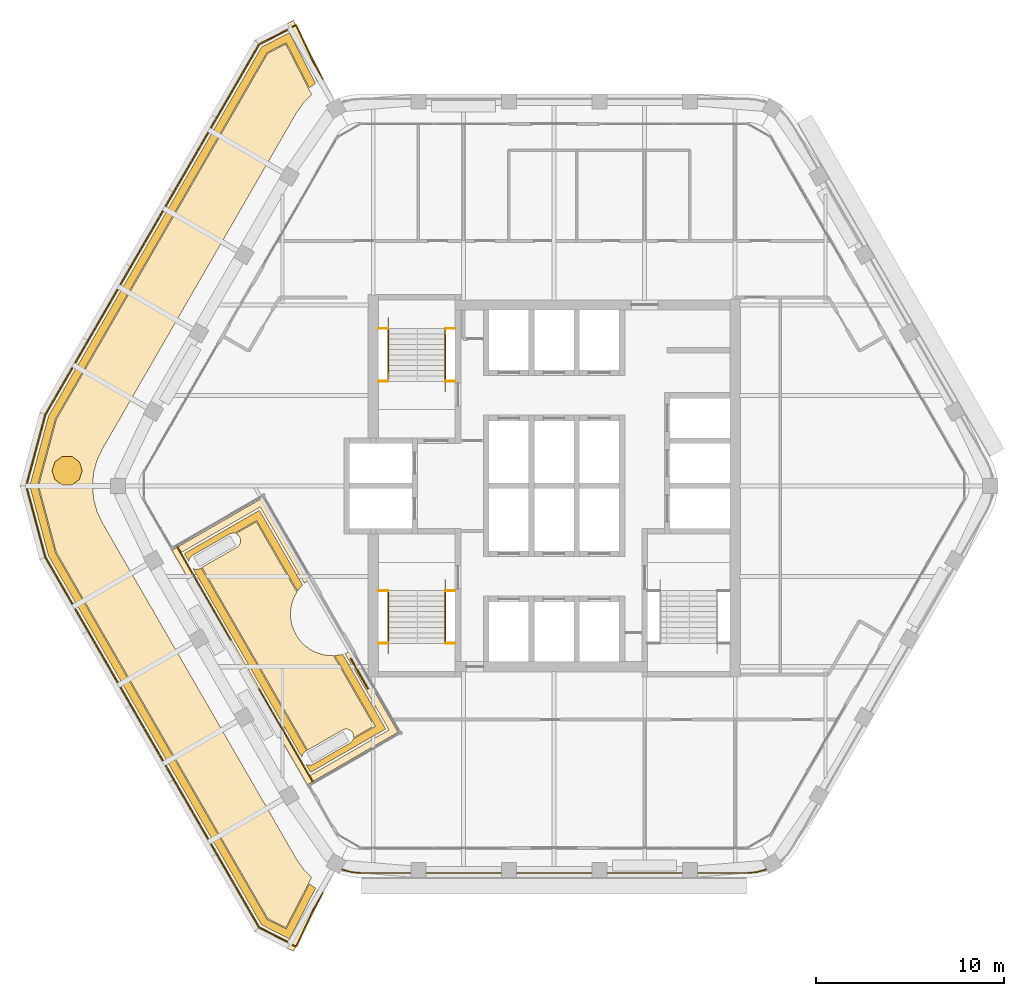
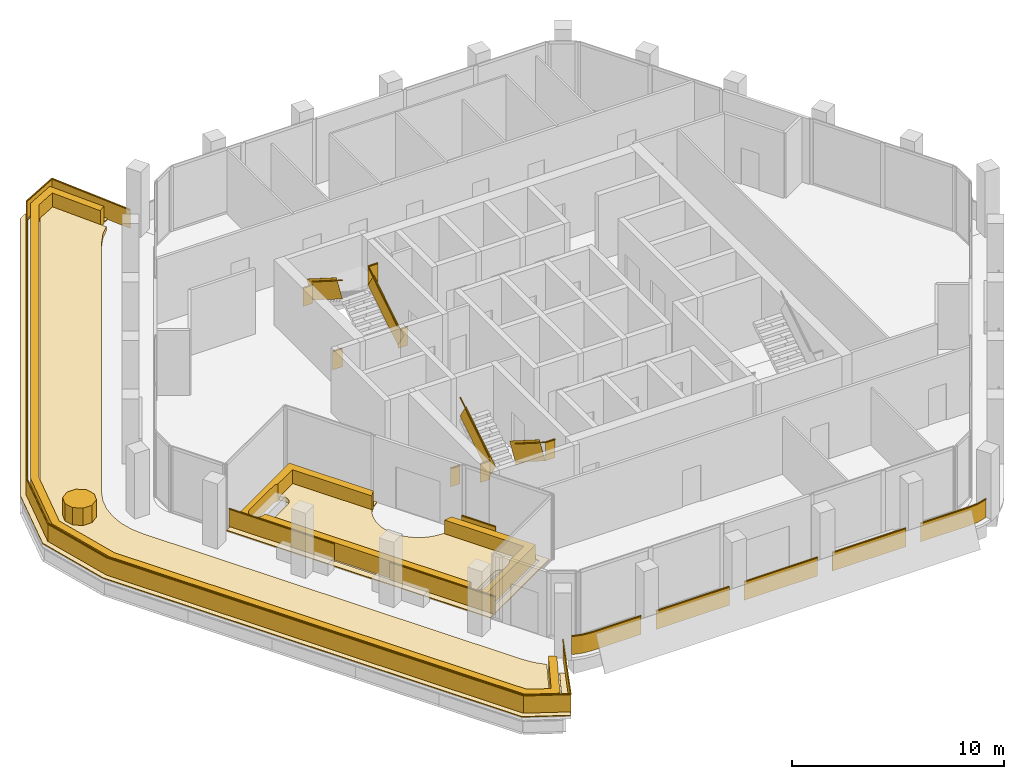
# One storey, part 14 of 15: 9 coverings, 8 railings.
"""IFC4 building model written with IfcOpenShell, lengths in metres."""

from ifc_helpers import new_model, si_unit, direction, frame, frame_2d, origin, origin_2d, place, context, subcontext, project, spatial, polyline, rectangle, outline, extrude, material, layer, layer_set, type_object, element, save


model = new_model("IFC4")

# Units and contexts
model_context = context("Model", 3, precision=1e-05, world=origin(), true_north=direction((0.0, 1.0)))
body_context = subcontext(model_context, "Body", "Model", "MODEL_VIEW")
ifc_project = project(units=[si_unit("LENGTHUNIT", "METRE"), si_unit("AREAUNIT", "SQUARE_METRE"), si_unit("VOLUMEUNIT", "CUBIC_METRE"), si_unit("PLANEANGLEUNIT", "RADIAN"), si_unit("MASSUNIT", "GRAM", prefix="KILO")], contexts=[model_context])

# Site, building, storey
site_placement = place(None, origin())
site = spatial("IfcSite", under=ifc_project, at=site_placement, CompositionType="ELEMENT")
building_placement = place(site_placement, origin())
building = spatial("IfcBuilding", under=site, at=building_placement, Name="Kolab Exchange Tower", CompositionType="ELEMENT")
storey_placement = place(building_placement, frame((0.0, 0.0, 238.39990234375)))
storey = spatial("IfcBuildingStorey", under=building, at=storey_placement, Name="L52", CompositionType="ELEMENT", Elevation=238.39990234375)

# Covering
ifc_material_1 = material(Name="Flowering shrub planting", Category="soil")
ifc_layer_1 = layer(ifc_material_1, 1.0)
ifc_layer_set_1 = layer_set([ifc_layer_1], Name="Flowering shrub planting")
covering_type_1 = type_object("IfcCoveringType", Name="FLOWERING SHRUB PLANTING", PredefinedType="USERDEFINED", material=ifc_layer_set_1)
covering_1_placement = place(storey_placement, frame((0.0, 0.0, 0.25)))
element("IfcCovering", 1, at=covering_1_placement, inside=storey, type_object=covering_type_1, Name="Flowering shrub", ObjectType="PLANTING", PredefinedType="USERDEFINED", context=body_context, shape_type="SweptSolid", body=[
    extrude(outline(polyline([(-25.03662109375, 0.80859375), (-25.189208984375, 1.27880859375), (-25.58935546875, 1.5693359375), (-26.083740234375, 1.5693359375), (-26.483642578125, 1.27880859375), (-26.636474609375, 0.80859375), (-26.483642578125, 0.33837890625), (-26.083740234375, 0.047607421875), (-25.58935546875, 0.047607421875), (-25.189208984375, 0.33837890625), (-25.03662109375, 0.80859375)])), origin(), (0.0, 0.0, 1.0), 1.0),
])

# Railings
ifc_material_2 = material(Name="Stainless steel 316", Category="steel")
railing_type_1 = type_object("IfcRailingType", Name="GUARD 1100", PredefinedType="GUARDRAIL", material=ifc_material_2)
railing_1_placement = place(storey_placement, frame((-9.324951171875, 5.550048828125, 0.0)))
element("IfcRailing", 2, at=railing_1_placement, inside=storey, type_object=railing_type_1, Name="Guard ST1", PredefinedType="GUARDRAIL", context=body_context, shape_type="SweptSolid", body=[
    extrude(rectangle(XDim=0.05, YDim=0.05, at=origin_2d()), frame((0.0, 0.0, 1.0751953125), z_axis=(1.0, 0.0, 0.0), x_axis=(0.0, 1.0, 0.0)), (0.0, 0.0, 1.0), 0.52734375),
    extrude(rectangle(XDim=0.012, YDim=1.05009765625, at=frame_2d((0.0, 0.525146484375))), frame((0.0, 0.0, 0.0), z_axis=(1.0, 0.0, 0.0), x_axis=(0.0, 1.0, 0.0)), (0.0, 0.0, 1.0), 0.52734375),
    extrude(rectangle(XDim=0.05, YDim=0.05, at=origin_2d()), frame((3.54736328125, 0.0, 1.0751953125), z_axis=(1.0, 0.0, 0.0), x_axis=(0.0, 1.0, 0.0)), (0.0, 0.0, 1.0), 0.527587890625),
    extrude(rectangle(XDim=0.012, YDim=1.05009765625, at=frame_2d((0.0, 0.525146484375))), frame((3.54736328125, 0.0, 0.0), z_axis=(1.0, 0.0, 0.0), x_axis=(0.0, 1.0, 0.0)), (0.0, 0.0, 1.0), 0.527587890625),
    extrude(rectangle(XDim=0.05, YDim=0.05, at=origin_2d()), frame((0.0, 2.800048828125, 3.025390625), z_axis=(1.0, 0.0, 0.0), x_axis=(0.0, 1.0, 0.0)), (0.0, 0.0, 1.0), 0.52734375),
    extrude(rectangle(XDim=0.012, YDim=1.05009765625, at=frame_2d((0.0, 0.525146484375))), frame((0.0, 2.800048828125, 1.9501953125), z_axis=(1.0, 0.0, 0.0), x_axis=(0.0, 1.0, 0.0)), (0.0, 0.0, 1.0), 0.52734375),
    extrude(rectangle(XDim=0.05, YDim=0.05, at=origin_2d()), frame((3.54736328125, 2.800048828125, 3.025390625), z_axis=(1.0, 0.0, 0.0), x_axis=(0.0, 1.0, 0.0)), (0.0, 0.0, 1.0), 0.527587890625),
    extrude(rectangle(XDim=0.012, YDim=1.05009765625, at=frame_2d((0.0, 0.525146484375))), frame((3.54736328125, 2.800048828125, 1.9501953125), z_axis=(1.0, 0.0, 0.0), x_axis=(0.0, 1.0, 0.0)), (0.0, 0.0, 1.0), 0.527587890625),
])
railing_2_placement = place(storey_placement, frame((-5.777587890625, 5.550048828125, 0.177490234375)))
element("IfcRailing", 3, at=railing_2_placement, inside=storey, type_object=railing_type_1, Name="Handrail guard ST1", PredefinedType="GUARDRAIL", context=body_context, shape_type="SweptSolid", body=[
    extrude(rectangle(XDim=0.05, YDim=0.05, at=origin_2d()), frame((0.0, 0.0, 1.0751953125), z_axis=(0.0, 0.844908973607, 0.534910110503), x_axis=(-1.0, 0.0, 0.0)), (0.0, 0.0, 1.0), 3.31396484375),
    extrude(rectangle(XDim=0.012, YDim=1.05009765625, at=frame_2d((0.0, 0.525146484375))), frame((0.0, 0.0, 0.0), z_axis=(0.0, 0.844908973607, 0.534910110503), x_axis=(-1.0, 0.0, 0.0)), (0.0, 0.0, 1.0), 3.31396484375),
    extrude(rectangle(XDim=0.05, YDim=0.05, at=origin_2d()), frame((-3.02001953125, 2.800048828125, 3.025146484375), z_axis=(0.0, -0.844908973607, 0.534910110503), x_axis=(1.0, 0.0, 0.0)), (0.0, 0.0, 1.0), 3.31396484375),
    extrude(rectangle(XDim=0.012, YDim=1.05009765625, at=frame_2d((0.0, 0.525146484375))), frame((-3.02001953125, 2.800048828125, 1.949951171875), z_axis=(0.0, -0.844908973607, 0.534910110503), x_axis=(1.0, 0.0, 0.0)), (0.0, 0.0, 1.0), 3.31396484375),
])
railing_3_placement = place(storey_placement, frame((-9.324951171875, -5.550048828125, 0.0)))
element("IfcRailing", 4, at=railing_3_placement, inside=storey, type_object=railing_type_1, Name="Guard ST3", PredefinedType="GUARDRAIL", context=body_context, shape_type="SweptSolid", body=[
    extrude(rectangle(XDim=0.05, YDim=0.05, at=origin_2d()), frame((0.0, 0.0, 1.0751953125), z_axis=(1.0, 0.0, 0.0), x_axis=(0.0, 1.0, 0.0)), (0.0, 0.0, 1.0), 0.52734375),
    extrude(rectangle(XDim=0.012, YDim=1.05009765625, at=frame_2d((0.0, 0.525146484375))), frame((0.0, 0.0, 0.0), z_axis=(1.0, 0.0, 0.0), x_axis=(0.0, 1.0, 0.0)), (0.0, 0.0, 1.0), 0.52734375),
    extrude(rectangle(XDim=0.05, YDim=0.05, at=origin_2d()), frame((3.54736328125, 0.0, 1.0751953125), z_axis=(1.0, 0.0, 0.0), x_axis=(0.0, 1.0, 0.0)), (0.0, 0.0, 1.0), 0.527587890625),
    extrude(rectangle(XDim=0.012, YDim=1.05009765625, at=frame_2d((0.0, 0.525146484375))), frame((3.54736328125, 0.0, 0.0), z_axis=(1.0, 0.0, 0.0), x_axis=(0.0, 1.0, 0.0)), (0.0, 0.0, 1.0), 0.527587890625),
    extrude(rectangle(XDim=0.05, YDim=0.05, at=origin_2d()), frame((0.0, -2.800048828125, 3.025390625), z_axis=(1.0, 0.0, 0.0), x_axis=(0.0, 1.0, 0.0)), (0.0, 0.0, 1.0), 0.52734375),
    extrude(rectangle(XDim=0.012, YDim=1.05009765625, at=frame_2d((0.0, 0.525146484375))), frame((0.0, -2.800048828125, 1.9501953125), z_axis=(1.0, 0.0, 0.0), x_axis=(0.0, 1.0, 0.0)), (0.0, 0.0, 1.0), 0.52734375),
    extrude(rectangle(XDim=0.05, YDim=0.05, at=origin_2d()), frame((3.54736328125, -2.800048828125, 3.025390625), z_axis=(1.0, 0.0, 0.0), x_axis=(0.0, 1.0, 0.0)), (0.0, 0.0, 1.0), 0.527587890625),
    extrude(rectangle(XDim=0.012, YDim=1.05009765625, at=frame_2d((0.0, 0.525146484375))), frame((3.54736328125, -2.800048828125, 1.9501953125), z_axis=(1.0, 0.0, 0.0), x_axis=(0.0, 1.0, 0.0)), (0.0, 0.0, 1.0), 0.527587890625),
])
railing_4_placement = place(storey_placement, frame((-5.777587890625, -5.550048828125, 0.177490234375)))
element("IfcRailing", 5, at=railing_4_placement, inside=storey, type_object=railing_type_1, Name="Handrail guard ST3", PredefinedType="GUARDRAIL", context=body_context, shape_type="SweptSolid", body=[
    extrude(rectangle(XDim=0.05, YDim=0.05, at=origin_2d()), frame((0.0, 0.0, 1.0751953125), z_axis=(0.0, -0.844908973607, 0.534910110503), x_axis=(1.0, 0.0, 0.0)), (0.0, 0.0, 1.0), 3.31396484375),
    extrude(rectangle(XDim=0.012, YDim=1.05009765625, at=frame_2d((0.0, 0.525146484375))), frame((0.0, 0.0, 0.0), z_axis=(0.0, -0.844908973607, 0.534910110503), x_axis=(1.0, 0.0, 0.0)), (0.0, 0.0, 1.0), 3.31396484375),
    extrude(rectangle(XDim=0.05, YDim=0.05, at=origin_2d()), frame((-3.02001953125, -2.800048828125, 3.025146484375), z_axis=(0.0, 0.844908973607, 0.534910110503), x_axis=(-1.0, 0.0, 0.0)), (0.0, 0.0, 1.0), 3.31396484375),
    extrude(rectangle(XDim=0.012, YDim=1.05009765625, at=frame_2d((0.0, 0.525146484375))), frame((-3.02001953125, -2.800048828125, 1.949951171875), z_axis=(0.0, 0.844908973607, 0.534910110503), x_axis=(-1.0, 0.0, 0.0)), (0.0, 0.0, 1.0), 3.31396484375),
])
ifc_material_3 = material(Name="Steel S235", Category="steel")
railing_type_2 = type_object("IfcRailingType", Name="GUARD 1100 GLASS BALUSTRADE AND STEEL TOP RAIL", PredefinedType="GUARDRAIL", material=ifc_material_3)
railing_5_placement = place(storey_placement, frame((-11.280517578125, -20.335205078125, 0.0)))
element("IfcRailing", 6, at=railing_5_placement, inside=storey, type_object=railing_type_2, Name="Guard", PredefinedType="GUARDRAIL", context=body_context, shape_type="SweptSolid", body=[
    extrude(rectangle(XDim=0.05, YDim=0.05, at=origin_2d()), frame((0.0, 0.0, 1.0751953125), z_axis=(0.959212061764, -0.282687496304, 0.0), x_axis=(0.282687496304, 0.959212061764, 0.0)), (0.0, 0.0, 1.0), 0.557861328125),
    extrude(rectangle(XDim=0.012, YDim=1.05009765625, at=frame_2d((0.0, 0.525146484375))), frame((0.0, 0.0, 0.0), z_axis=(0.959212061764, -0.282687496304, 0.0), x_axis=(0.282687496304, 0.959212061764, 0.0)), (0.0, 0.0, 1.0), 0.557861328125),
    extrude(rectangle(XDim=0.05, YDim=0.05, at=origin_2d()), frame((0.53515625, -0.15771484375, 1.0751953125), z_axis=(0.996196482496, -0.087135344505, 0.0), x_axis=(0.087135344505, 0.996196482496, 0.0)), (0.0, 0.0, 1.0), 0.47900390625),
    extrude(rectangle(XDim=0.012, YDim=1.05009765625, at=frame_2d((0.0, 0.525146484375))), frame((0.53515625, -0.15771484375, 0.0), z_axis=(0.996196482496, -0.087135344505, 0.0), x_axis=(0.087135344505, 0.996196482496, 0.0)), (0.0, 0.0, 1.0), 0.47900390625),
    extrude(rectangle(XDim=0.05, YDim=0.05, at=origin_2d()), frame((1.012451171875, -0.199462890625, 1.0751953125), z_axis=(1.0, 0.0, 0.0), x_axis=(0.0, 1.0, 0.0)), (0.0, 0.0, 1.0), 2.66796875),
    extrude(rectangle(XDim=0.012, YDim=1.05009765625, at=frame_2d((0.0, 0.525146484375))), frame((1.012451171875, -0.199462890625, 0.0), z_axis=(1.0, 0.0, 0.0), x_axis=(0.0, 1.0, 0.0)), (0.0, 0.0, 1.0), 2.66796875),
    extrude(rectangle(XDim=0.05, YDim=0.05, at=origin_2d()), frame((4.48046875, -0.199462890625, 1.0751953125), z_axis=(1.0, 0.0, 0.0), x_axis=(0.0, 1.0, 0.0)), (0.0, 0.0, 1.0), 4.0),
    extrude(rectangle(XDim=0.012, YDim=1.05009765625, at=frame_2d((0.0, 0.525146484375))), frame((4.48046875, -0.199462890625, 0.0), z_axis=(1.0, 0.0, 0.0), x_axis=(0.0, 1.0, 0.0)), (0.0, 0.0, 1.0), 4.0),
    extrude(rectangle(XDim=0.05, YDim=0.05, at=origin_2d()), frame((9.280517578125, -0.199462890625, 1.0751953125), z_axis=(1.0, 0.0, 0.0), x_axis=(0.0, 1.0, 0.0)), (0.0, 0.0, 1.0), 4.0),
    extrude(rectangle(XDim=0.012, YDim=1.05009765625, at=frame_2d((0.0, 0.525146484375))), frame((9.280517578125, -0.199462890625, 0.0), z_axis=(1.0, 0.0, 0.0), x_axis=(0.0, 1.0, 0.0)), (0.0, 0.0, 1.0), 4.0),
    extrude(rectangle(XDim=0.05, YDim=0.05, at=origin_2d()), frame((14.08056640625, -0.199462890625, 1.0751953125), z_axis=(1.0, 0.0, 0.0), x_axis=(0.0, 1.0, 0.0)), (0.0, 0.0, 1.0), 4.0),
    extrude(rectangle(XDim=0.012, YDim=1.05009765625, at=frame_2d((0.0, 0.525146484375))), frame((14.08056640625, -0.199462890625, 0.0), z_axis=(1.0, 0.0, 0.0), x_axis=(0.0, 1.0, 0.0)), (0.0, 0.0, 1.0), 4.0),
    extrude(rectangle(XDim=0.05, YDim=0.05, at=origin_2d()), frame((18.880615234375, -0.199462890625, 1.0751953125), z_axis=(1.0, 0.0, 0.0), x_axis=(0.0, 1.0, 0.0)), (0.0, 0.0, 1.0), 2.66796875),
    extrude(rectangle(XDim=0.012, YDim=1.05009765625, at=frame_2d((0.0, 0.525146484375))), frame((18.880615234375, -0.199462890625, 0.0), z_axis=(1.0, 0.0, 0.0), x_axis=(0.0, 1.0, 0.0)), (0.0, 0.0, 1.0), 2.66796875),
    extrude(rectangle(XDim=0.05, YDim=0.05, at=origin_2d()), frame((21.548583984375, -0.199462890625, 1.0751953125), z_axis=(0.996196482496, 0.087135344505, 0.0), x_axis=(-0.087135344505, 0.996196482496, 0.0)), (0.0, 0.0, 1.0), 0.47900390625),
    extrude(rectangle(XDim=0.012, YDim=1.05009765625, at=frame_2d((0.0, 0.525146484375))), frame((21.548583984375, -0.199462890625, 0.0), z_axis=(0.996196482496, 0.087135344505, 0.0), x_axis=(-0.087135344505, 0.996196482496, 0.0)), (0.0, 0.0, 1.0), 0.47900390625),
    extrude(rectangle(XDim=0.05, YDim=0.05, at=origin_2d()), frame((22.02587890625, -0.15771484375, 1.0751953125), z_axis=(0.959212061764, 0.282687496304, 0.0), x_axis=(-0.282687496304, 0.959212061764, 0.0)), (0.0, 0.0, 1.0), 0.557861328125),
    extrude(rectangle(XDim=0.012, YDim=1.05009765625, at=frame_2d((0.0, 0.525146484375))), frame((22.02587890625, -0.15771484375, 0.0), z_axis=(0.959212061764, 0.282687496304, 0.0), x_axis=(-0.282687496304, 0.959212061764, 0.0)), (0.0, 0.0, 1.0), 0.557861328125),
])
railing_6_placement = place(storey_placement, frame((-10.800048828125, -9.1630859375, 0.0)))
element("IfcRailing", 7, at=railing_6_placement, inside=storey, type_object=railing_type_2, Name="Terrace guard", PredefinedType="GUARDRAIL", context=body_context, shape_type="SweptSolid", body=[
    extrude(rectangle(XDim=0.05, YDim=0.05, at=origin_2d()), frame((0.0, 0.0, 1.0751953125), z_axis=(0.50003817291, -0.866003363523, 0.0), x_axis=(0.866003363523, 0.50003817291, 0.0)), (0.0, 0.0, 1.0), 1.851806640625),
    extrude(rectangle(XDim=0.012, YDim=1.05009765625, at=frame_2d((0.0, 0.525146484375))), frame((0.0, 0.0, 0.0), z_axis=(0.50003817291, -0.866003363523, 0.0), x_axis=(0.866003363523, 0.50003817291, 0.0)), (0.0, 0.0, 1.0), 1.851806640625),
])
railing_7_placement = place(storey_placement, frame((-11.76806640625, -20.382568359375, 0.0)))
element("IfcRailing", 8, at=railing_7_placement, inside=storey, type_object=railing_type_2, Name="Terrace guard", PredefinedType="GUARDRAIL", context=body_context, shape_type="SweptSolid", body=[
    extrude(rectangle(XDim=0.05, YDim=0.05, at=origin_2d()), frame((0.0, 0.0, 1.0751953125), z_axis=(-0.426178722185, -0.904638986976, 0.0), x_axis=(0.904638986976, -0.426178722185, 0.0)), (0.0, 0.0, 1.0), 4.4970703125),
    extrude(rectangle(XDim=0.012, YDim=1.05009765625, at=frame_2d((0.0, 0.525146484375))), frame((0.0, 0.0, 0.0), z_axis=(-0.426178722185, -0.904638986976, 0.0), x_axis=(0.904638986976, -0.426178722185, 0.0)), (0.0, 0.0, 1.0), 4.4970703125),
    extrude(rectangle(XDim=0.05, YDim=0.05, at=origin_2d()), frame((-1.91650390625, -4.068115234375, 1.0751953125), z_axis=(-0.889930468546, 0.456096219184, 0.0), x_axis=(-0.456096219184, -0.889930468546, 0.0)), (0.0, 0.0, 1.0), 2.226318359375),
    extrude(rectangle(XDim=0.012, YDim=1.05009765625, at=frame_2d((0.0, 0.525146484375))), frame((-1.91650390625, -4.068115234375, 0.0), z_axis=(-0.889930468546, 0.456096219184, 0.0), x_axis=(-0.456096219184, -0.889930468546, 0.0)), (0.0, 0.0, 1.0), 2.226318359375),
    extrude(rectangle(XDim=0.05, YDim=0.05, at=origin_2d()), frame((-3.897705078125, -3.052734375, 1.0751953125), z_axis=(-0.499995961078, 0.866027735645, 0.0), x_axis=(-0.866027735645, -0.499995961078, 0.0)), (0.0, 0.0, 1.0), 22.691162109375),
    extrude(rectangle(XDim=0.012, YDim=1.05009765625, at=frame_2d((0.0, 0.525146484375))), frame((-3.897705078125, -3.052734375, 0.0), z_axis=(-0.499995961078, 0.866027735645, 0.0), x_axis=(-0.866027735645, -0.499995961078, 0.0)), (0.0, 0.0, 1.0), 22.691162109375),
    extrude(rectangle(XDim=0.05, YDim=0.05, at=origin_2d()), frame((-15.2431640625, 16.598388671875, 1.0751953125), z_axis=(-0.258864833081, 0.965913556274, 0.0), x_axis=(-0.965913556274, -0.258864833081, 0.0)), (0.0, 0.0, 1.0), 3.917724609375),
    extrude(rectangle(XDim=0.012, YDim=1.05009765625, at=frame_2d((0.0, 0.525146484375))), frame((-15.2431640625, 16.598388671875, 0.0), z_axis=(-0.258864833081, 0.965913556274, 0.0), x_axis=(-0.965913556274, -0.258864833081, 0.0)), (0.0, 0.0, 1.0), 3.917724609375),
    extrude(rectangle(XDim=0.05, YDim=0.05, at=origin_2d()), frame((-16.25732421875, 20.382568359375, 1.0751953125), z_axis=(0.258864833081, 0.965913556274, 0.0), x_axis=(-0.965913556274, 0.258864833081, 0.0)), (0.0, 0.0, 1.0), 3.917724609375),
    extrude(rectangle(XDim=0.012, YDim=1.05009765625, at=frame_2d((0.0, 0.525146484375))), frame((-16.25732421875, 20.382568359375, 0.0), z_axis=(0.258864833081, 0.965913556274, 0.0), x_axis=(-0.965913556274, 0.258864833081, 0.0)), (0.0, 0.0, 1.0), 3.917724609375),
    extrude(rectangle(XDim=0.05, YDim=0.05, at=origin_2d()), frame((-15.2431640625, 24.166748046875, 1.0751953125), z_axis=(0.499995961078, 0.866027735645, 0.0), x_axis=(-0.866027735645, 0.499995961078, 0.0)), (0.0, 0.0, 1.0), 22.691162109375),
    extrude(rectangle(XDim=0.012, YDim=1.05009765625, at=frame_2d((0.0, 0.525146484375))), frame((-15.2431640625, 24.166748046875, 0.0), z_axis=(0.499995961078, 0.866027735645, 0.0), x_axis=(-0.866027735645, 0.499995961078, 0.0)), (0.0, 0.0, 1.0), 22.691162109375),
    extrude(rectangle(XDim=0.05, YDim=0.05, at=origin_2d()), frame((-3.897705078125, 43.81787109375, 1.0751953125), z_axis=(0.889930468546, 0.456096219184, 0.0), x_axis=(-0.456096219184, 0.889930468546, 0.0)), (0.0, 0.0, 1.0), 2.226318359375),
    extrude(rectangle(XDim=0.012, YDim=1.05009765625, at=frame_2d((0.0, 0.525146484375))), frame((-3.897705078125, 43.81787109375, 0.0), z_axis=(0.889930468546, 0.456096219184, 0.0), x_axis=(-0.456096219184, 0.889930468546, 0.0)), (0.0, 0.0, 1.0), 2.226318359375),
    extrude(rectangle(XDim=0.05, YDim=0.05, at=origin_2d()), frame((-1.91650390625, 44.833251953125, 1.0751953125), z_axis=(0.426178722185, -0.904638986976, 0.0), x_axis=(0.904638986976, 0.426178722185, 0.0)), (0.0, 0.0, 1.0), 4.4970703125),
    extrude(rectangle(XDim=0.012, YDim=1.05009765625, at=frame_2d((0.0, 0.525146484375))), frame((-1.91650390625, 44.833251953125, 0.0), z_axis=(0.426178722185, -0.904638986976, 0.0), x_axis=(0.904638986976, 0.426178722185, 0.0)), (0.0, 0.0, 1.0), 4.4970703125),
])
railing_8_placement = place(storey_placement, frame((-12.77783203125, -15.7373046875, 0.0)))
element("IfcRailing", 9, at=railing_8_placement, inside=storey, type_object=railing_type_2, Name="Terrace guard", PredefinedType="GUARDRAIL", context=body_context, shape_type="SweptSolid", body=[
    extrude(rectangle(XDim=0.05, YDim=0.05, at=origin_2d()), frame((0.0, 0.0, 1.0751953125), z_axis=(-0.500018220049, 0.866014884179, 0.0), x_axis=(-0.866014884179, -0.500018220049, 0.0)), (0.0, 0.0, 1.0), 5.739990234375),
    extrude(rectangle(XDim=0.012, YDim=1.05009765625, at=frame_2d((0.0, 0.525146484375))), frame((0.0, 0.0, 0.0), z_axis=(-0.500018220049, 0.866014884179, 0.0), x_axis=(-0.866014884179, -0.500018220049, 0.0)), (0.0, 0.0, 1.0), 5.739990234375),
    extrude(rectangle(XDim=0.05, YDim=0.05, at=origin_2d()), frame((-7.239990234375, 12.5400390625, 1.0751953125), z_axis=(0.499986320039, -0.86603330177, 0.0), x_axis=(0.86603330177, 0.499986320039, 0.0)), (0.0, 0.0, 1.0), 5.739990234375),
    extrude(rectangle(XDim=0.012, YDim=1.05009765625, at=frame_2d((0.0, 0.525146484375))), frame((-7.239990234375, 12.5400390625, 0.0), z_axis=(0.499986320039, -0.86603330177, 0.0), x_axis=(0.86603330177, 0.499986320039, 0.0)), (0.0, 0.0, 1.0), 5.739990234375),
])

# Coverings
ifc_material_4 = material(Name="Planting soil and turf", Category="soil")
ifc_layer_2 = layer(ifc_material_4, 0.25)
ifc_layer_set_2 = layer_set([ifc_layer_2], Name="Planting soil and turf")
covering_type_2 = type_object("IfcCoveringType", Name="PLANTING SOIL AND TURF 250", PredefinedType="USERDEFINED", material=ifc_layer_set_2)
covering_2_placement = place(storey_placement, origin())
element("IfcCovering", 10, at=covering_2_placement, inside=storey, type_object=covering_type_2, Name="Planting soil and turf", ObjectType="PLANTING", PredefinedType="USERDEFINED", context=body_context, shape_type="SweptSolid", body=[
    extrude(outline(polyline([(-10.638427734375, -13.35888671875), (-10.634521484375, -13.32470703125), (-10.6337890625, -13.285400390625), (-10.636962890625, -13.246337890625), (-10.64404296875, -13.20751953125), (-10.65478515625, -13.169921875), (-10.669189453125, -13.13330078125), (-10.687255859375, -13.098388671875), (-10.70849609375, -13.0654296875), (-10.73291015625, -13.03466796875), (-10.76025390625, -13.006591796875), (-10.7900390625, -12.981201171875), (-10.822265625, -12.958740234375), (-10.856689453125, -12.939697265625), (-10.892822265625, -12.924072265625), (-10.93017578125, -12.912109375), (-10.968505859375, -12.90380859375), (-11.00732421875, -12.8994140625), (-11.046630859375, -12.898681640625), (-11.085693359375, -12.90185546875), (-11.12451171875, -12.908935546875), (-11.162109375, -12.919677734375), (-11.19873046875, -12.93408203125), (-11.233642578125, -12.9521484375), (-13.078125, -14.01708984375), (-18.67822265625, -4.317626953125), (-16.83349609375, -3.25244140625), (-16.800537109375, -3.231201171875), (-16.769775390625, -3.206787109375), (-16.74169921875, -3.1796875), (-16.71630859375, -3.149658203125), (-16.69384765625, -3.117431640625), (-16.6748046875, -3.0830078125), (-16.6591796875, -3.047119140625), (-16.647216796875, -3.009765625), (-16.638916015625, -2.97119140625), (-16.634521484375, -2.932373046875), (-16.6337890625, -2.89306640625), (-16.636962890625, -2.85400390625), (-16.64404296875, -2.8154296875), (-16.65478515625, -2.777587890625), (-16.669189453125, -2.740966796875), (-16.687255859375, -2.7060546875), (-16.70849609375, -2.673095703125), (-16.73291015625, -2.642333984375), (-16.76025390625, -2.6142578125), (-16.7900390625, -2.5888671875), (-16.822265625, -2.56640625), (-16.856689453125, -2.54736328125), (-16.888427734375, -2.53369140625), (-15.798828125, -1.904541015625), (-13.644775390625, -5.635986328125), (-13.72216796875, -5.76513671875), (-13.814453125, -5.96044921875), (-13.88720703125, -6.16357421875), (-13.939697265625, -6.373046875), (-13.971435546875, -6.586669921875), (-13.98193359375, -6.80224609375), (-13.971435546875, -7.017822265625), (-13.939697265625, -7.2314453125), (-13.88720703125, -7.44091796875), (-13.814453125, -7.644287109375), (-13.72216796875, -7.83935546875), (-13.611083984375, -8.024658203125), (-13.482666015625, -8.197998046875), (-13.337646484375, -8.35791015625), (-13.177490234375, -8.5029296875), (-13.004150390625, -8.631591796875), (-12.819091796875, -8.742431640625), (-12.623779296875, -8.8349609375), (-12.420654296875, -8.907470703125), (-12.211181640625, -8.9599609375), (-11.99755859375, -8.99169921875), (-11.781982421875, -9.002197265625), (-11.703369140625, -8.99853515625), (-9.548828125, -12.72998046875), (-10.638427734375, -13.35888671875)])), origin(), (0.0, 0.0, 1.0), 0.25),
])
covering_3_placement = place(storey_placement, origin())
element("IfcCovering", 11, at=covering_3_placement, inside=storey, type_object=covering_type_2, Name="Planting soil and turf", ObjectType="PLANTING", PredefinedType="USERDEFINED", context=body_context, shape_type="SweptSolid", body=[
    extrude(outline(polyline([(-14.2333984375, -23.43896484375), (-15.19873046875, -22.9443359375), (-26.40576171875, -3.533203125), (-27.352294921875, 0.0), (-26.40576171875, 3.533203125), (-15.19873046875, 22.9443359375), (-14.2333984375, 23.43896484375), (-12.861083984375, 20.761474609375), (-13.296630859375, 20.325927734375), (-13.66796875, 19.79541015625), (-23.9775390625, 1.939208984375), (-24.251220703125, 1.352294921875), (-24.429443359375, 0.6865234375), (-24.489501953125, 0.0), (-24.429443359375, -0.6865234375), (-24.251220703125, -1.352294921875), (-23.9775390625, -1.939208984375), (-13.66796875, -19.79541015625), (-13.296630859375, -20.325927734375), (-12.861083984375, -20.761474609375), (-14.2333984375, -23.43896484375)])), origin(), (0.0, 0.0, 1.0), 0.25),
])
ifc_material_5 = material(Name="Limestone coping", Category="masonry")
ifc_layer_3 = layer(ifc_material_5, 0.050048828125)
ifc_layer_set_3 = layer_set([ifc_layer_3], Name="Limestone coping")
covering_type_3 = type_object("IfcCoveringType", Name="TERRACE EDGE BAND LIMESTONE 50", PredefinedType="CLADDING", material=ifc_layer_set_3)
covering_4_placement = place(storey_placement, origin())
element("IfcCovering", 12, at=covering_4_placement, inside=storey, type_object=covering_type_3, Name="Terrace edge band", PredefinedType="CLADDING", context=body_context, shape_type="SweptSolid", body=[
    extrude(outline(polyline([(-20.273681640625, -3.414306640625), (-15.45849609375, -0.63427734375), (-12.966552734375, -4.950439453125), (-13.004150390625, -4.97314453125), (-13.177490234375, -5.1015625), (-13.2470703125, -5.16455078125), (-15.586669921875, -1.1123046875), (-19.795654296875, -3.542236328125), (-12.965576171875, -15.372314453125), (-8.756591796875, -12.942138671875), (-11.095947265625, -8.890625), (-10.93994140625, -8.8349609375), (-10.770263671875, -8.754638671875), (-8.278564453125, -13.0703125), (-13.09375, -15.850341796875), (-20.273681640625, -3.414306640625)])), origin(), (0.0, 0.0, 1.0), 0.050048828125),
])
covering_5_placement = place(storey_placement, origin())
element("IfcCovering", 13, at=covering_5_placement, inside=storey, type_object=covering_type_3, Name="Terrace edge band", PredefinedType="CLADDING", context=body_context, shape_type="SweptSolid", body=[
    extrude(outline(polyline([(-15.866943359375, -23.646728515625), (-27.272216796875, -3.892333984375), (-28.315185546875, 0.0), (-27.272216796875, 3.892333984375), (-15.866943359375, 23.646728515625), (-13.830078125, 24.690673828125), (-12.243408203125, 21.59521484375), (-12.3173828125, 21.560791015625), (-12.41796875, 21.508544921875), (-12.513671875, 21.447509765625), (-12.548583984375, 21.423095703125), (-13.98193359375, 24.2197265625), (-15.615478515625, 23.38232421875), (-26.946044921875, 3.757080078125), (-27.952880859375, 0.0), (-26.946044921875, -3.757080078125), (-15.615478515625, -23.38232421875), (-13.98193359375, -24.2197265625), (-12.548583984375, -21.423095703125), (-12.513671875, -21.447509765625), (-12.41796875, -21.508544921875), (-12.3173828125, -21.560791015625), (-12.243408203125, -21.59521484375), (-13.830078125, -24.690673828125), (-15.866943359375, -23.646728515625)])), origin(), (0.0, 0.0, 1.0), 0.050048828125),
])
ifc_material_6 = material(Name="Terrace hedge planting", Category="soil")
ifc_layer_4 = layer(ifc_material_6, 1.0)
ifc_layer_set_4 = layer_set([ifc_layer_4], Name="Terrace hedge planting")
covering_type_4 = type_object("IfcCoveringType", Name="TERRACE HEDGE 1000 X 400", PredefinedType="USERDEFINED", material=ifc_layer_set_4)
covering_6_placement = place(storey_placement, origin())
element("IfcCovering", 14, at=covering_6_placement, inside=storey, type_object=covering_type_4, Name="Terrace hedge", ObjectType="PLANTING", PredefinedType="USERDEFINED", context=body_context, shape_type="SweptSolid", body=[
    extrude(outline(polyline([(-19.1630859375, -4.3779296875), (-19.150390625, -4.385009765625), (-19.114501953125, -4.400634765625), (-19.0771484375, -4.41259765625), (-19.03857421875, -4.4208984375), (-18.999755859375, -4.42529296875), (-18.96044921875, -4.426025390625), (-18.92138671875, -4.4228515625), (-18.882568359375, -4.415771484375), (-18.844970703125, -4.405029296875), (-18.808349609375, -4.390380859375), (-18.7734375, -4.37255859375), (-18.721435546875, -4.342529296875), (-13.12158203125, -14.0419921875), (-13.173583984375, -14.072021484375), (-13.20654296875, -14.09326171875), (-13.2373046875, -14.11767578125), (-13.265380859375, -14.14501953125), (-13.290771484375, -14.175048828125), (-13.313232421875, -14.207275390625), (-13.332275390625, -14.241455078125), (-13.347900390625, -14.277587890625), (-13.35986328125, -14.31494140625), (-13.3681640625, -14.353271484375), (-13.37255859375, -14.392333984375), (-13.372802734375, -14.40673828125), (-19.1630859375, -4.3779296875)])), origin(), (0.0, 0.0, 1.0), 1.0),
])
covering_7_placement = place(storey_placement, origin())
element("IfcCovering", 15, at=covering_7_placement, inside=storey, type_object=covering_type_4, Name="Terrace hedge", ObjectType="PLANTING", PredefinedType="USERDEFINED", context=body_context, shape_type="SweptSolid", body=[
    extrude(outline(polyline([(-19.617919921875, -3.58984375), (-15.63427734375, -1.2900390625), (-13.344970703125, -5.2548828125), (-13.482666015625, -5.40673828125), (-13.611083984375, -5.580078125), (-13.615234375, -5.5869140625), (-15.78076171875, -1.83642578125), (-16.955078125, -2.514404296875), (-16.968505859375, -2.511474609375), (-17.00732421875, -2.507080078125), (-17.046630859375, -2.50634765625), (-17.085693359375, -2.509521484375), (-17.12451171875, -2.5166015625), (-17.162109375, -2.52734375), (-17.19873046875, -2.541748046875), (-17.233642578125, -2.559814453125), (-19.173583984375, -3.6796875), (-19.20654296875, -3.700927734375), (-19.2373046875, -3.725341796875), (-19.265380859375, -3.752685546875), (-19.290771484375, -3.78271484375), (-19.313232421875, -3.81494140625), (-19.332275390625, -3.84912109375), (-19.347900390625, -3.88525390625), (-19.35986328125, -3.922607421875), (-19.3681640625, -3.9609375), (-19.37255859375, -4.0), (-19.372802734375, -4.014404296875), (-19.617919921875, -3.58984375)])), origin(), (0.0, 0.0, 1.0), 1.0),
])
covering_8_placement = place(storey_placement, origin())
element("IfcCovering", 16, at=covering_8_placement, inside=storey, type_object=covering_type_4, Name="Terrace hedge", ObjectType="PLANTING", PredefinedType="USERDEFINED", context=body_context, shape_type="SweptSolid", body=[
    extrude(outline(polyline([(-13.1630859375, -14.770263671875), (-13.150390625, -14.777099609375), (-13.114501953125, -14.792724609375), (-13.0771484375, -14.804931640625), (-13.03857421875, -14.813232421875), (-12.999755859375, -14.817626953125), (-12.96044921875, -14.818359375), (-12.92138671875, -14.81494140625), (-12.882568359375, -14.80810546875), (-12.844970703125, -14.797119140625), (-12.808349609375, -14.78271484375), (-12.7734375, -14.764892578125), (-10.83349609375, -13.644775390625), (-10.800537109375, -13.62353515625), (-10.769775390625, -13.59912109375), (-10.74169921875, -13.57177734375), (-10.71630859375, -13.5419921875), (-10.69384765625, -13.509765625), (-10.6748046875, -13.475341796875), (-10.6591796875, -13.439453125), (-10.655029296875, -13.42626953125), (-9.480712890625, -12.748291015625), (-11.647216796875, -8.99560546875), (-11.56640625, -8.99169921875), (-11.352783203125, -8.9599609375), (-11.224365234375, -8.927978515625), (-8.934326171875, -12.894775390625), (-12.91796875, -15.194580078125), (-13.1630859375, -14.770263671875)])), origin(), (0.0, 0.0, 1.0), 1.0),
])
covering_9_placement = place(storey_placement, origin())
element("IfcCovering", 17, at=covering_9_placement, inside=storey, type_object=covering_type_4, Name="Terrace hedge", ObjectType="PLANTING", PredefinedType="USERDEFINED", context=body_context, shape_type="SweptSolid", body=[
    extrude(outline(polyline([(-15.522216796875, -23.2841796875), (-26.824951171875, -3.70703125), (-27.818359375, 0.0), (-26.824951171875, 3.70703125), (-15.522216796875, 23.2841796875), (-14.038330078125, 24.044677734375), (-12.656005859375, 21.347900390625), (-12.94189453125, 21.147705078125), (-12.985595703125, 21.114013671875), (-14.211669921875, 23.50634765625), (-15.234619140625, 22.98193359375), (-26.4521484375, 3.552734375), (-27.404052734375, 0.0), (-26.4521484375, -3.552734375), (-15.234619140625, -22.98193359375), (-14.211669921875, -23.50634765625), (-12.985595703125, -21.114013671875), (-12.94189453125, -21.147705078125), (-12.656005859375, -21.347900390625), (-14.038330078125, -24.044677734375), (-15.522216796875, -23.2841796875)])), origin(), (0.0, 0.0, 1.0), 1.0),
])

save(model, "model.ifc")
